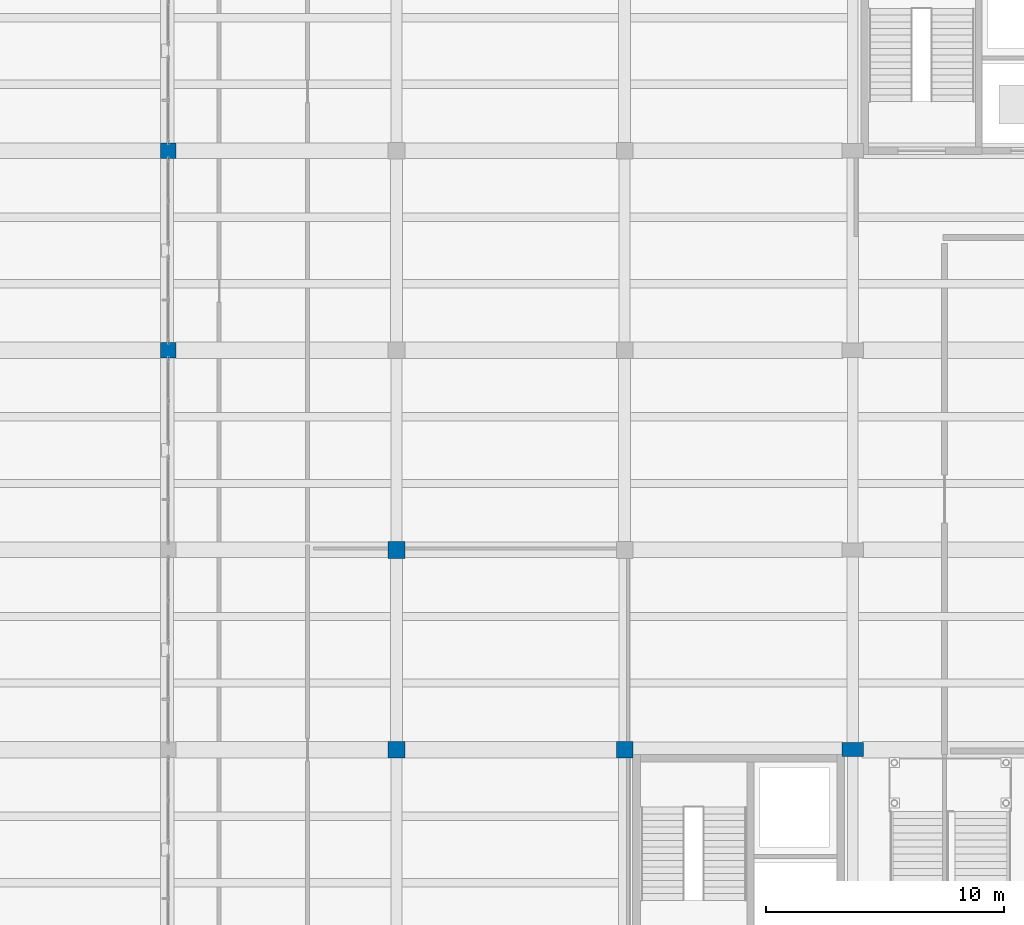
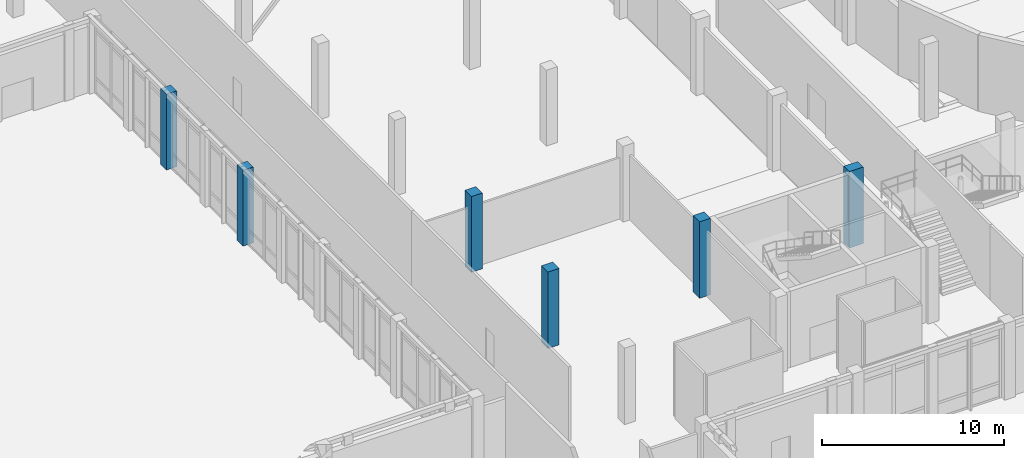
# One storey, part 4 of 71: 6 columns.
"""IFC4 building model written with IfcOpenShell, lengths in metres."""

from ifc_helpers import new_model, si_unit, direction, frame, origin, origin_2d, place, context, subcontext, project, spatial, rectangle, extrude, material, material_profile, profile_set, type_object, element, save


model = new_model("IFC4")

# Units and contexts
model_context = context("Model", 3, precision=1e-05, world=origin(), true_north=direction((0.0, 1.0)))
body_context = subcontext(model_context, "Body", "Model", "MODEL_VIEW")
ifc_project = project(units=[si_unit("LENGTHUNIT", "METRE"), si_unit("AREAUNIT", "SQUARE_METRE"), si_unit("VOLUMEUNIT", "CUBIC_METRE"), si_unit("PLANEANGLEUNIT", "RADIAN"), si_unit("MASSUNIT", "GRAM", prefix="KILO")], contexts=[model_context])

# Site, building, storey
site_placement = place(None, origin())
site = spatial("IfcSite", under=ifc_project, at=site_placement, CompositionType="ELEMENT")
building_placement = place(site_placement, origin())
building = spatial("IfcBuilding", under=site, at=building_placement, Name="Lornevale Opera House", CompositionType="ELEMENT")
storey_placement = place(building_placement, origin())
storey = spatial("IfcBuildingStorey", under=building, at=storey_placement, Name="L01", CompositionType="ELEMENT", Elevation=0.0)

# Columns
ifc_material = material(Name="Concrete 40 MPa (CSA A23.1 C-1)", Category="concrete")
ifc_material_profile_1 = material_profile(ifc_material, rectangle(XDim=0.89990234375, YDim=0.60009765625, at=origin_2d()), Name="RC900x600")
ifc_profile_set_1 = profile_set([ifc_material_profile_1], Name="Concrete 40 MPa (CSA A23.1 C-1)")
column_type_1 = type_object("IfcColumnType", Name="Auditorium Drum Pier 900x600", PredefinedType="COLUMN", material=ifc_profile_set_1)
column_1_placement = place(storey_placement, frame((57.60009765625, 33.60009765625, 0.0), z_axis=(0.0, 0.0, 1.0), x_axis=(1.0, 0.0, 0.0)))
element("IfcColumn", 1, at=column_1_placement, inside=storey, type_object=column_type_1, Name="Auditorium Drum Pier 900x600 0364", PredefinedType="COLUMN", context=body_context, shape_type="SweptSolid", body=[
    extrude(rectangle(XDim=0.89990234375, YDim=0.60009765625, at=origin_2d()), origin(), (0.0, 0.0, 1.0), 5.1201171875),
])
ifc_material_profile_2 = material_profile(ifc_material, rectangle(XDim=0.64990234375, YDim=0.64990234375, at=origin_2d()), Name="RC650x650")
ifc_profile_set_2 = profile_set([ifc_material_profile_2], Name="Concrete 40 MPa (CSA A23.1 C-1)")
column_type_2 = type_object("IfcColumnType", Name="Concrete Column 650x650", PredefinedType="COLUMN", material=ifc_profile_set_2)
for number, where, z_axis, x_axis, name in (
    (2, (28.800048828125, 50.39990234375, 0.0), (0.0, 0.0, 1.0), (1.0, 0.0, 0.0), "Concrete Column 650x650 0184"),
    (3, (28.800048828125, 58.800048828125, 0.0), (0.0, 0.0, 1.0), (1.0, 0.0, 0.0), "Concrete Column 650x650 0188"),
):
    element("IfcColumn", number, at=place(storey_placement, frame(where, z_axis=z_axis, x_axis=x_axis)), inside=storey, type_object=column_type_2, Name=name, PredefinedType="COLUMN", context=body_context, shape_type="SweptSolid", body=[
        extrude(rectangle(XDim=0.64990234375, YDim=0.64990234375, at=origin_2d()), origin(), (0.0, 0.0, 1.0), 5.070068359375),
    ])
ifc_material_profile_3 = material_profile(ifc_material, rectangle(XDim=0.699951171875, YDim=0.699951171875, at=origin_2d()), Name="RC700x700")
ifc_profile_set_3 = profile_set([ifc_material_profile_3], Name="Concrete 40 MPa (CSA A23.1 C-1)")
column_type_3 = type_object("IfcColumnType", Name="Concrete Column 700x700", PredefinedType="COLUMN", material=ifc_profile_set_3)
column_2_placement = place(storey_placement, frame((38.39990234375, 33.60009765625, 0.0), z_axis=(0.0, 0.0, 1.0), x_axis=(1.0, 0.0, 0.0)))
element("IfcColumn", 4, at=column_2_placement, inside=storey, type_object=column_type_3, Name="Concrete Column 700x700 0237", PredefinedType="COLUMN", context=body_context, shape_type="SweptSolid", body=[
    extrude(rectangle(XDim=0.699951171875, YDim=0.699951171875, at=origin_2d()), origin(), (0.0, 0.0, 1.0), 5.1201171875),
])
column_3_placement = place(storey_placement, frame((38.39990234375, 42.0, 0.0), z_axis=(0.0, 0.0, 1.0), x_axis=(1.0, 0.0, 0.0)))
element("IfcColumn", 5, at=column_3_placement, inside=storey, type_object=column_type_3, Name="Concrete Column 700x700 0242", PredefinedType="COLUMN", context=body_context, shape_type="SweptSolid", body=[
    extrude(rectangle(XDim=0.699951171875, YDim=0.699951171875, at=origin_2d()), origin(), (0.0, 0.0, 1.0), 5.070068359375),
])
column_4_placement = place(storey_placement, frame((48.0, 33.60009765625, 0.0), z_axis=(0.0, 0.0, 1.0), x_axis=(1.0, 0.0, 0.0)))
element("IfcColumn", 6, at=column_4_placement, inside=storey, type_object=column_type_3, Name="Concrete Column 700x700 0301", PredefinedType="COLUMN", context=body_context, shape_type="SweptSolid", body=[
    extrude(rectangle(XDim=0.699951171875, YDim=0.699951171875, at=origin_2d()), origin(), (0.0, 0.0, 1.0), 5.1201171875),
])

save(model, "model.ifc")
